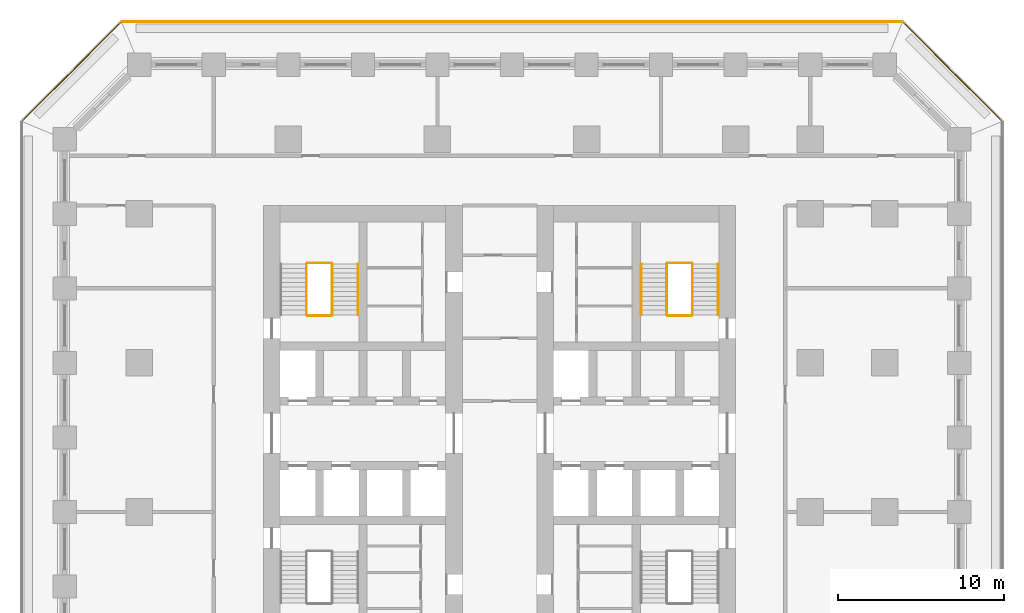
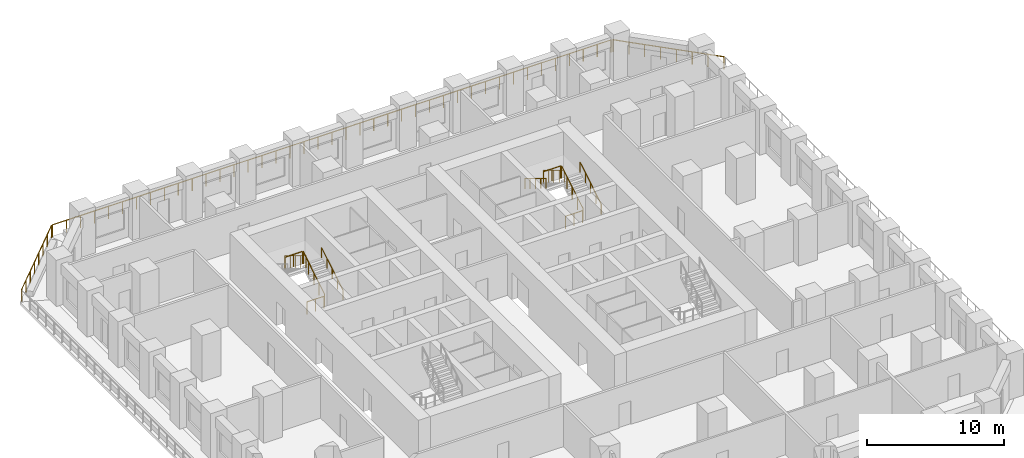
# One storey, part 10 of 11: 14 railings.
"""IFC4 building model written with IfcOpenShell, lengths in metres."""

from ifc_helpers import new_model, si_unit, direction, frame, origin, origin_2d, place, context, subcontext, project, spatial, circle, extrude, material, type_object, element, save


model = new_model("IFC4")

# Units and contexts
model_context = context("Model", 3, precision=1e-05, world=origin(), true_north=direction((0.0, 1.0)))
body_context = subcontext(model_context, "Body", "Model", "MODEL_VIEW")
ifc_project = project(units=[si_unit("LENGTHUNIT", "METRE"), si_unit("AREAUNIT", "SQUARE_METRE"), si_unit("VOLUMEUNIT", "CUBIC_METRE"), si_unit("PLANEANGLEUNIT", "RADIAN"), si_unit("MASSUNIT", "GRAM", prefix="KILO")], contexts=[model_context])

# Site, building, storey
site_placement = place(None, origin())
site = spatial("IfcSite", under=ifc_project, at=site_placement, CompositionType="ELEMENT")
building_placement = place(site_placement, origin())
building = spatial("IfcBuilding", under=site, at=building_placement, Name="Corbel Stack Research Tower", CompositionType="ELEMENT")
storey_placement = place(building_placement, frame((0.0, 0.0, 54.199951171875)))
storey = spatial("IfcBuildingStorey", under=building, at=storey_placement, Name="L12", CompositionType="ELEMENT", Elevation=54.199951171875)

# Railings
ifc_material_1 = material(Name="Steel S355", Category="steel")
railing_type_1 = type_object("IfcRailingType", Name="Stair guard 1100", PredefinedType="GUARDRAIL", material=ifc_material_1)
railing_1_placement = place(storey_placement, frame((-6.35009765625, 11.89990234375, 0.1708984375)))
element("IfcRailing", 1, at=railing_1_placement, inside=storey, type_object=railing_type_1, Name="L12 ST-W2 stair guard 1", PredefinedType="GUARDRAIL", context=body_context, shape_type="SweptSolid", body=[
    extrude(circle(Radius=0.02392578125, at=origin_2d()), frame((0.0, 0.0, 1.076171875), z_axis=(0.0, 0.853666305674, 0.52082035152), x_axis=(-1.0, 0.0, 0.0)), (0.0, 0.0, 1.0), 3.608154296875),
    extrude(circle(Radius=0.02099609375, at=origin_2d()), origin(), (0.0, 0.0, 1.0), 1.052001953125),
    extrude(circle(Radius=0.02099609375, at=origin_2d()), frame((0.0, 0.77001953125, 0.4697265625)), (0.0, 0.0, 1.0), 1.052001953125),
    extrude(circle(Radius=0.02099609375, at=origin_2d()), frame((0.0, 1.5400390625, 0.939453125)), (0.0, 0.0, 1.0), 1.052001953125),
    extrude(circle(Radius=0.02099609375, at=origin_2d()), frame((0.0, 2.31005859375, 1.409423828125)), (0.0, 0.0, 1.0), 1.052001953125),
    extrude(circle(Radius=0.02099609375, at=origin_2d()), frame((0.0, 3.080078125, 1.879150390625)), (0.0, 0.0, 1.0), 1.052001953125),
])
railing_2_placement = place(storey_placement, frame((-6.39990234375, 15.030029296875, 2.050048828125)))
element("IfcRailing", 2, at=railing_2_placement, inside=storey, type_object=railing_type_1, Name="L12 ST-W2 stair guard 2", PredefinedType="GUARDRAIL", context=body_context, shape_type="SweptSolid", body=[
    extrude(circle(Radius=0.02392578125, at=origin_2d()), frame((0.0, 0.0, 1.076171875), z_axis=(-1.0, 0.0, 0.0), x_axis=(0.0, -1.0, 0.0)), (0.0, 0.0, 1.0), 1.4501953125),
    extrude(circle(Radius=0.02099609375, at=origin_2d()), origin(), (0.0, 0.0, 1.0), 1.052001953125),
    extrude(circle(Radius=0.02099609375, at=origin_2d()), frame((-0.72509765625, 0.0, 0.0)), (0.0, 0.0, 1.0), 1.052001953125),
    extrude(circle(Radius=0.02099609375, at=origin_2d()), frame((-1.4501953125, 0.0, 0.0)), (0.0, 0.0, 1.0), 1.052001953125),
])
railing_3_placement = place(storey_placement, frame((-7.89990234375, 14.97998046875, 2.220947265625)))
element("IfcRailing", 3, at=railing_3_placement, inside=storey, type_object=railing_type_1, Name="L12 ST-W2 stair guard 3", PredefinedType="GUARDRAIL", context=body_context, shape_type="SweptSolid", body=[
    extrude(circle(Radius=0.02392578125, at=origin_2d()), frame((0.0, 0.0, 1.076171875), z_axis=(0.0, -0.853666305674, 0.52082035152), x_axis=(1.0, 0.0, 0.0)), (0.0, 0.0, 1.0), 3.608154296875),
    extrude(circle(Radius=0.02099609375, at=origin_2d()), origin(), (0.0, 0.0, 1.0), 1.052001953125),
    extrude(circle(Radius=0.02099609375, at=origin_2d()), frame((0.0, -0.77001953125, 0.4697265625)), (0.0, 0.0, 1.0), 1.052001953125),
    extrude(circle(Radius=0.02099609375, at=origin_2d()), frame((0.0, -1.5400390625, 0.939453125)), (0.0, 0.0, 1.0), 1.052001953125),
    extrude(circle(Radius=0.02099609375, at=origin_2d()), frame((0.0, -2.31005859375, 1.409423828125)), (0.0, 0.0, 1.0), 1.052001953125),
    extrude(circle(Radius=0.02099609375, at=origin_2d()), frame((0.0, -3.080078125, 1.879150390625)), (0.0, 0.0, 1.0), 1.052001953125),
])
railing_4_placement = place(storey_placement, frame((-6.39990234375, 11.85009765625, 0.0)))
element("IfcRailing", 4, at=railing_4_placement, inside=storey, type_object=railing_type_1, Name="L12 ST-W2 stair guard 4", PredefinedType="GUARDRAIL", context=body_context, shape_type="SweptSolid", body=[
    extrude(circle(Radius=0.02392578125, at=origin_2d()), frame((0.0, 0.0, 1.076171875), z_axis=(-1.0, 0.0, 0.0), x_axis=(0.0, -1.0, 0.0)), (0.0, 0.0, 1.0), 1.4501953125),
    extrude(circle(Radius=0.02099609375, at=origin_2d()), origin(), (0.0, 0.0, 1.0), 1.052001953125),
    extrude(circle(Radius=0.02099609375, at=origin_2d()), frame((-0.72509765625, 0.0, 0.0)), (0.0, 0.0, 1.0), 1.052001953125),
    extrude(circle(Radius=0.02099609375, at=origin_2d()), frame((-1.4501953125, 0.0, 0.0)), (0.0, 0.0, 1.0), 1.052001953125),
])
railing_5_placement = place(storey_placement, frame((15.39990234375, 11.89990234375, 0.1708984375)))
element("IfcRailing", 5, at=railing_5_placement, inside=storey, type_object=railing_type_1, Name="L12 ST-E2 stair guard 1", PredefinedType="GUARDRAIL", context=body_context, shape_type="SweptSolid", body=[
    extrude(circle(Radius=0.02392578125, at=origin_2d()), frame((0.0, 0.0, 1.076171875), z_axis=(0.0, 0.853666305674, 0.52082035152), x_axis=(-1.0, 0.0, 0.0)), (0.0, 0.0, 1.0), 3.608154296875),
    extrude(circle(Radius=0.02099609375, at=origin_2d()), origin(), (0.0, 0.0, 1.0), 1.052001953125),
    extrude(circle(Radius=0.02099609375, at=origin_2d()), frame((0.0, 0.77001953125, 0.4697265625)), (0.0, 0.0, 1.0), 1.052001953125),
    extrude(circle(Radius=0.02099609375, at=origin_2d()), frame((0.0, 1.5400390625, 0.939453125)), (0.0, 0.0, 1.0), 1.052001953125),
    extrude(circle(Radius=0.02099609375, at=origin_2d()), frame((0.0, 2.31005859375, 1.409423828125)), (0.0, 0.0, 1.0), 1.052001953125),
    extrude(circle(Radius=0.02099609375, at=origin_2d()), frame((0.0, 3.080078125, 1.879150390625)), (0.0, 0.0, 1.0), 1.052001953125),
])
railing_6_placement = place(storey_placement, frame((15.35009765625, 15.030029296875, 2.050048828125)))
element("IfcRailing", 6, at=railing_6_placement, inside=storey, type_object=railing_type_1, Name="L12 ST-E2 stair guard 2", PredefinedType="GUARDRAIL", context=body_context, shape_type="SweptSolid", body=[
    extrude(circle(Radius=0.02392578125, at=origin_2d()), frame((0.0, 0.0, 1.076171875), z_axis=(-1.0, 0.0, 0.0), x_axis=(0.0, -1.0, 0.0)), (0.0, 0.0, 1.0), 1.4501953125),
    extrude(circle(Radius=0.02099609375, at=origin_2d()), origin(), (0.0, 0.0, 1.0), 1.052001953125),
    extrude(circle(Radius=0.02099609375, at=origin_2d()), frame((-0.72509765625, 0.0, 0.0)), (0.0, 0.0, 1.0), 1.052001953125),
    extrude(circle(Radius=0.02099609375, at=origin_2d()), frame((-1.4501953125, 0.0, 0.0)), (0.0, 0.0, 1.0), 1.052001953125),
])
railing_7_placement = place(storey_placement, frame((13.85009765625, 14.97998046875, 2.220947265625)))
element("IfcRailing", 7, at=railing_7_placement, inside=storey, type_object=railing_type_1, Name="L12 ST-E2 stair guard 3", PredefinedType="GUARDRAIL", context=body_context, shape_type="SweptSolid", body=[
    extrude(circle(Radius=0.02392578125, at=origin_2d()), frame((0.0, 0.0, 1.076171875), z_axis=(0.0, -0.853666305674, 0.52082035152), x_axis=(1.0, 0.0, 0.0)), (0.0, 0.0, 1.0), 3.608154296875),
    extrude(circle(Radius=0.02099609375, at=origin_2d()), origin(), (0.0, 0.0, 1.0), 1.052001953125),
    extrude(circle(Radius=0.02099609375, at=origin_2d()), frame((0.0, -0.77001953125, 0.4697265625)), (0.0, 0.0, 1.0), 1.052001953125),
    extrude(circle(Radius=0.02099609375, at=origin_2d()), frame((0.0, -1.5400390625, 0.939453125)), (0.0, 0.0, 1.0), 1.052001953125),
    extrude(circle(Radius=0.02099609375, at=origin_2d()), frame((0.0, -2.31005859375, 1.409423828125)), (0.0, 0.0, 1.0), 1.052001953125),
    extrude(circle(Radius=0.02099609375, at=origin_2d()), frame((0.0, -3.080078125, 1.879150390625)), (0.0, 0.0, 1.0), 1.052001953125),
])
railing_8_placement = place(storey_placement, frame((15.35009765625, 11.85009765625, 0.0)))
element("IfcRailing", 8, at=railing_8_placement, inside=storey, type_object=railing_type_1, Name="L12 ST-E2 stair guard 4", PredefinedType="GUARDRAIL", context=body_context, shape_type="SweptSolid", body=[
    extrude(circle(Radius=0.02392578125, at=origin_2d()), frame((0.0, 0.0, 1.076171875), z_axis=(-1.0, 0.0, 0.0), x_axis=(0.0, -1.0, 0.0)), (0.0, 0.0, 1.0), 1.4501953125),
    extrude(circle(Radius=0.02099609375, at=origin_2d()), origin(), (0.0, 0.0, 1.0), 1.052001953125),
    extrude(circle(Radius=0.02099609375, at=origin_2d()), frame((-0.72509765625, 0.0, 0.0)), (0.0, 0.0, 1.0), 1.052001953125),
    extrude(circle(Radius=0.02099609375, at=origin_2d()), frame((-1.4501953125, 0.0, 0.0)), (0.0, 0.0, 1.0), 1.052001953125),
])
ifc_material_2 = material(Name="Steel S355", Category="steel")
railing_type_2 = type_object("IfcRailingType", Name="Stair handrail 900", PredefinedType="HANDRAIL", material=ifc_material_2)
for number, where, name in (
    (9, (-4.800048828125, 11.89990234375, 0.1708984375), "L12 ST-W2 stair handrail 1"),
    (10, (16.949951171875, 11.89990234375, 0.1708984375), "L12 ST-E2 stair handrail 1"),
):
    element("IfcRailing", number, at=place(storey_placement, frame(where)), inside=storey, type_object=railing_type_2, Name=name, PredefinedType="HANDRAIL", context=body_context, shape_type="SweptSolid", body=[
        extrude(circle(Radius=0.02392578125, at=origin_2d()), frame((0.0, 0.0, 0.8759765625), z_axis=(0.0, 0.853666305674, 0.52082035152), x_axis=(-1.0, 0.0, 0.0)), (0.0, 0.0, 1.0), 3.608154296875),
        extrude(circle(Radius=0.02099609375, at=origin_2d()), origin(), (0.0, 0.0, 1.0), 0.851806640625),
        extrude(circle(Radius=0.02099609375, at=origin_2d()), frame((0.0, 0.77001953125, 0.4697265625)), (0.0, 0.0, 1.0), 0.851806640625),
        extrude(circle(Radius=0.02099609375, at=origin_2d()), frame((0.0, 1.5400390625, 0.939453125)), (0.0, 0.0, 1.0), 0.851806640625),
        extrude(circle(Radius=0.02099609375, at=origin_2d()), frame((0.0, 2.31005859375, 1.409423828125)), (0.0, 0.0, 1.0), 0.851806640625),
        extrude(circle(Radius=0.02099609375, at=origin_2d()), frame((0.0, 3.080078125, 1.879150390625)), (0.0, 0.0, 1.0), 0.851806640625),
    ])
railing_9_placement = place(storey_placement, frame((12.300048828125, 14.97998046875, 2.220947265625)))
element("IfcRailing", 11, at=railing_9_placement, inside=storey, type_object=railing_type_2, Name="L12 ST-E2 stair handrail 2", PredefinedType="HANDRAIL", context=body_context, shape_type="SweptSolid", body=[
    extrude(circle(Radius=0.02392578125, at=origin_2d()), frame((0.0, 0.0, 0.8759765625), z_axis=(0.0, -0.853666305674, 0.52082035152), x_axis=(1.0, 0.0, 0.0)), (0.0, 0.0, 1.0), 3.608154296875),
    extrude(circle(Radius=0.02099609375, at=origin_2d()), origin(), (0.0, 0.0, 1.0), 0.851806640625),
    extrude(circle(Radius=0.02099609375, at=origin_2d()), frame((0.0, -0.77001953125, 0.4697265625)), (0.0, 0.0, 1.0), 0.851806640625),
    extrude(circle(Radius=0.02099609375, at=origin_2d()), frame((0.0, -1.5400390625, 0.939453125)), (0.0, 0.0, 1.0), 0.851806640625),
    extrude(circle(Radius=0.02099609375, at=origin_2d()), frame((0.0, -2.31005859375, 1.409423828125)), (0.0, 0.0, 1.0), 0.851806640625),
    extrude(circle(Radius=0.02099609375, at=origin_2d()), frame((0.0, -3.080078125, 1.879150390625)), (0.0, 0.0, 1.0), 0.851806640625),
])
ifc_material_3 = material(Name="Powder-coated steel guard", Category="steel")
railing_type_3 = type_object("IfcRailingType", Name="Steel and glass guard 1100", PredefinedType="GUARDRAIL", material=ifc_material_3)
railing_10_placement = place(storey_placement, frame((34.04931640625, 23.627685546875, 0.0)))
element("IfcRailing", 12, at=railing_10_placement, inside=storey, type_object=railing_type_3, Name="Loggia guard L12 NE", PredefinedType="GUARDRAIL", context=body_context, shape_type="SweptSolid", body=[
    extrude(circle(Radius=0.02392578125, at=origin_2d()), frame((0.0, 0.0, 1.076171875), z_axis=(-0.707106781187, 0.707106781187, 0.0), x_axis=(-0.707106781187, -0.707106781187, 0.0)), (0.0, 0.0, 1.0), 8.37451171875),
    extrude(circle(Radius=0.02099609375, at=origin_2d()), origin(), (0.0, 0.0, 1.0), 1.052001953125),
    extrude(circle(Radius=0.02099609375, at=origin_2d()), frame((-0.845947265625, 0.845947265625, 0.0)), (0.0, 0.0, 1.0), 1.052001953125),
    extrude(circle(Radius=0.02099609375, at=origin_2d()), frame((-1.69189453125, 1.69189453125, 0.0)), (0.0, 0.0, 1.0), 1.052001953125),
    extrude(circle(Radius=0.02099609375, at=origin_2d()), frame((-2.537841796875, 2.537841796875, 0.0)), (0.0, 0.0, 1.0), 1.052001953125),
    extrude(circle(Radius=0.02099609375, at=origin_2d()), frame((-3.3837890625, 3.3837890625, 0.0)), (0.0, 0.0, 1.0), 1.052001953125),
    extrude(circle(Radius=0.02099609375, at=origin_2d()), frame((-4.229736328125, 4.229736328125, 0.0)), (0.0, 0.0, 1.0), 1.052001953125),
    extrude(circle(Radius=0.02099609375, at=origin_2d()), frame((-5.07568359375, 5.07568359375, 0.0)), (0.0, 0.0, 1.0), 1.052001953125),
    extrude(circle(Radius=0.02099609375, at=origin_2d()), frame((-5.921630859375, 5.921630859375, 0.0)), (0.0, 0.0, 1.0), 1.052001953125),
])
railing_11_placement = place(storey_placement, frame((28.00537109375, 29.60009765625, 0.0)))
element("IfcRailing", 13, at=railing_11_placement, inside=storey, type_object=railing_type_3, Name="Loggia guard L12 N", PredefinedType="GUARDRAIL", context=body_context, shape_type="SweptSolid", body=[
    extrude(circle(Radius=0.02392578125, at=origin_2d()), frame((0.0, 0.0, 1.076171875), z_axis=(-1.0, 0.0, 0.0), x_axis=(0.0, -1.0, 0.0)), (0.0, 0.0, 1.0), 47.0107421875),
    extrude(circle(Radius=0.02099609375, at=origin_2d()), origin(), (0.0, 0.0, 1.0), 1.052001953125),
    extrude(circle(Radius=0.02099609375, at=origin_2d()), frame((-1.17529296875, 0.0, 0.0)), (0.0, 0.0, 1.0), 1.052001953125),
    extrude(circle(Radius=0.02099609375, at=origin_2d()), frame((-2.3505859375, 0.0, 0.0)), (0.0, 0.0, 1.0), 1.052001953125),
    extrude(circle(Radius=0.02099609375, at=origin_2d()), frame((-3.52587890625, 0.0, 0.0)), (0.0, 0.0, 1.0), 1.052001953125),
    extrude(circle(Radius=0.02099609375, at=origin_2d()), frame((-4.701171875, 0.0, 0.0)), (0.0, 0.0, 1.0), 1.052001953125),
    extrude(circle(Radius=0.02099609375, at=origin_2d()), frame((-5.87646484375, 0.0, 0.0)), (0.0, 0.0, 1.0), 1.052001953125),
    extrude(circle(Radius=0.02099609375, at=origin_2d()), frame((-7.051513671875, 0.0, 0.0)), (0.0, 0.0, 1.0), 1.052001953125),
    extrude(circle(Radius=0.02099609375, at=origin_2d()), frame((-8.226806640625, 0.0, 0.0)), (0.0, 0.0, 1.0), 1.052001953125),
    extrude(circle(Radius=0.02099609375, at=origin_2d()), frame((-9.402099609375, 0.0, 0.0)), (0.0, 0.0, 1.0), 1.052001953125),
    extrude(circle(Radius=0.02099609375, at=origin_2d()), frame((-10.577392578125, 0.0, 0.0)), (0.0, 0.0, 1.0), 1.052001953125),
    extrude(circle(Radius=0.02099609375, at=origin_2d()), frame((-11.752685546875, 0.0, 0.0)), (0.0, 0.0, 1.0), 1.052001953125),
    extrude(circle(Radius=0.02099609375, at=origin_2d()), frame((-12.927978515625, 0.0, 0.0)), (0.0, 0.0, 1.0), 1.052001953125),
    extrude(circle(Radius=0.02099609375, at=origin_2d()), frame((-14.103271484375, 0.0, 0.0)), (0.0, 0.0, 1.0), 1.052001953125),
    extrude(circle(Radius=0.02099609375, at=origin_2d()), frame((-15.278564453125, 0.0, 0.0)), (0.0, 0.0, 1.0), 1.052001953125),
    extrude(circle(Radius=0.02099609375, at=origin_2d()), frame((-16.453857421875, 0.0, 0.0)), (0.0, 0.0, 1.0), 1.052001953125),
    extrude(circle(Radius=0.02099609375, at=origin_2d()), frame((-17.62890625, 0.0, 0.0)), (0.0, 0.0, 1.0), 1.052001953125),
    extrude(circle(Radius=0.02099609375, at=origin_2d()), frame((-18.80419921875, 0.0, 0.0)), (0.0, 0.0, 1.0), 1.052001953125),
    extrude(circle(Radius=0.02099609375, at=origin_2d()), frame((-19.9794921875, 0.0, 0.0)), (0.0, 0.0, 1.0), 1.052001953125),
    extrude(circle(Radius=0.02099609375, at=origin_2d()), frame((-21.15478515625, 0.0, 0.0)), (0.0, 0.0, 1.0), 1.052001953125),
    extrude(circle(Radius=0.02099609375, at=origin_2d()), frame((-22.330078125, 0.0, 0.0)), (0.0, 0.0, 1.0), 1.052001953125),
    extrude(circle(Radius=0.02099609375, at=origin_2d()), frame((-23.50537109375, 0.0, 0.0)), (0.0, 0.0, 1.0), 1.052001953125),
    extrude(circle(Radius=0.02099609375, at=origin_2d()), frame((-24.6806640625, 0.0, 0.0)), (0.0, 0.0, 1.0), 1.052001953125),
    extrude(circle(Radius=0.02099609375, at=origin_2d()), frame((-25.85595703125, 0.0, 0.0)), (0.0, 0.0, 1.0), 1.052001953125),
    extrude(circle(Radius=0.02099609375, at=origin_2d()), frame((-27.03125, 0.0, 0.0)), (0.0, 0.0, 1.0), 1.052001953125),
    extrude(circle(Radius=0.02099609375, at=origin_2d()), frame((-28.20654296875, 0.0, 0.0)), (0.0, 0.0, 1.0), 1.052001953125),
    extrude(circle(Radius=0.02099609375, at=origin_2d()), frame((-29.3818359375, 0.0, 0.0)), (0.0, 0.0, 1.0), 1.052001953125),
    extrude(circle(Radius=0.02099609375, at=origin_2d()), frame((-30.556884765625, 0.0, 0.0)), (0.0, 0.0, 1.0), 1.052001953125),
    extrude(circle(Radius=0.02099609375, at=origin_2d()), frame((-31.732177734375, 0.0, 0.0)), (0.0, 0.0, 1.0), 1.052001953125),
    extrude(circle(Radius=0.02099609375, at=origin_2d()), frame((-32.907470703125, 0.0, 0.0)), (0.0, 0.0, 1.0), 1.052001953125),
    extrude(circle(Radius=0.02099609375, at=origin_2d()), frame((-34.082763671875, 0.0, 0.0)), (0.0, 0.0, 1.0), 1.052001953125),
    extrude(circle(Radius=0.02099609375, at=origin_2d()), frame((-35.258056640625, 0.0, 0.0)), (0.0, 0.0, 1.0), 1.052001953125),
    extrude(circle(Radius=0.02099609375, at=origin_2d()), frame((-36.433349609375, 0.0, 0.0)), (0.0, 0.0, 1.0), 1.052001953125),
    extrude(circle(Radius=0.02099609375, at=origin_2d()), frame((-37.608642578125, 0.0, 0.0)), (0.0, 0.0, 1.0), 1.052001953125),
    extrude(circle(Radius=0.02099609375, at=origin_2d()), frame((-38.783935546875, 0.0, 0.0)), (0.0, 0.0, 1.0), 1.052001953125),
    extrude(circle(Radius=0.02099609375, at=origin_2d()), frame((-39.959228515625, 0.0, 0.0)), (0.0, 0.0, 1.0), 1.052001953125),
    extrude(circle(Radius=0.02099609375, at=origin_2d()), frame((-41.13427734375, 0.0, 0.0)), (0.0, 0.0, 1.0), 1.052001953125),
    extrude(circle(Radius=0.02099609375, at=origin_2d()), frame((-42.3095703125, 0.0, 0.0)), (0.0, 0.0, 1.0), 1.052001953125),
    extrude(circle(Radius=0.02099609375, at=origin_2d()), frame((-43.48486328125, 0.0, 0.0)), (0.0, 0.0, 1.0), 1.052001953125),
    extrude(circle(Radius=0.02099609375, at=origin_2d()), frame((-44.66015625, 0.0, 0.0)), (0.0, 0.0, 1.0), 1.052001953125),
    extrude(circle(Radius=0.02099609375, at=origin_2d()), frame((-45.83544921875, 0.0, 0.0)), (0.0, 0.0, 1.0), 1.052001953125),
    extrude(circle(Radius=0.02099609375, at=origin_2d()), frame((-47.0107421875, 0.0, 0.0)), (0.0, 0.0, 1.0), 1.052001953125),
])
railing_12_placement = place(storey_placement, frame((-19.127685546875, 29.54931640625, 0.0)))
element("IfcRailing", 14, at=railing_12_placement, inside=storey, type_object=railing_type_3, Name="Loggia guard L12 NW", PredefinedType="GUARDRAIL", context=body_context, shape_type="SweptSolid", body=[
    extrude(circle(Radius=0.02392578125, at=origin_2d()), frame((0.0, 0.0, 1.076171875), z_axis=(-0.707106781187, -0.707106781187, 0.0), x_axis=(0.707106781187, -0.707106781187, 0.0)), (0.0, 0.0, 1.0), 8.37451171875),
    extrude(circle(Radius=0.02099609375, at=origin_2d()), origin(), (0.0, 0.0, 1.0), 1.052001953125),
    extrude(circle(Radius=0.02099609375, at=origin_2d()), frame((-0.845947265625, -0.845947265625, 0.0)), (0.0, 0.0, 1.0), 1.052001953125),
    extrude(circle(Radius=0.02099609375, at=origin_2d()), frame((-1.69189453125, -1.69189453125, 0.0)), (0.0, 0.0, 1.0), 1.052001953125),
    extrude(circle(Radius=0.02099609375, at=origin_2d()), frame((-2.537841796875, -2.537841796875, 0.0)), (0.0, 0.0, 1.0), 1.052001953125),
    extrude(circle(Radius=0.02099609375, at=origin_2d()), frame((-3.3837890625, -3.3837890625, 0.0)), (0.0, 0.0, 1.0), 1.052001953125),
    extrude(circle(Radius=0.02099609375, at=origin_2d()), frame((-4.229736328125, -4.229736328125, 0.0)), (0.0, 0.0, 1.0), 1.052001953125),
    extrude(circle(Radius=0.02099609375, at=origin_2d()), frame((-5.07568359375, -5.07568359375, 0.0)), (0.0, 0.0, 1.0), 1.052001953125),
    extrude(circle(Radius=0.02099609375, at=origin_2d()), frame((-5.921630859375, -5.921630859375, 0.0)), (0.0, 0.0, 1.0), 1.052001953125),
])

save(model, "model.ifc")
